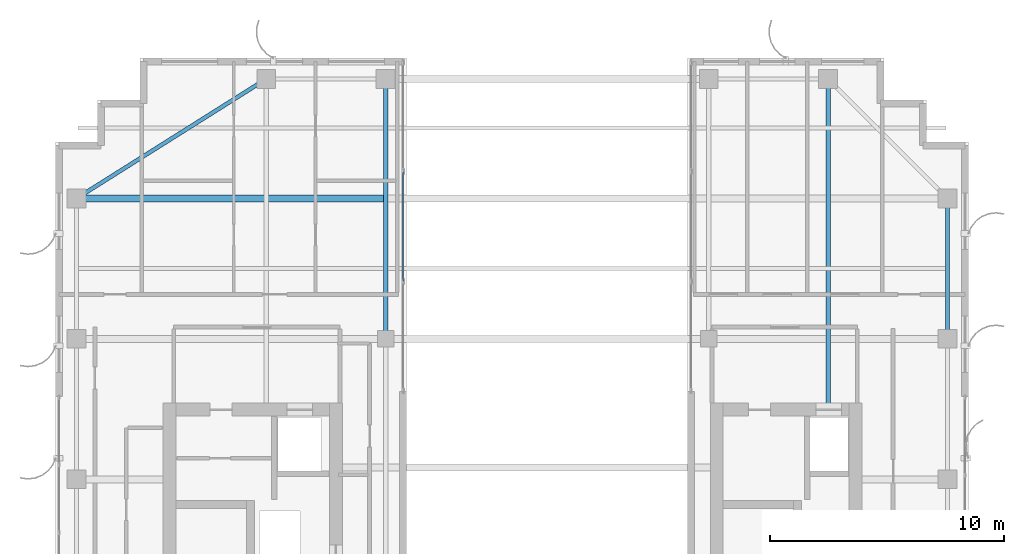
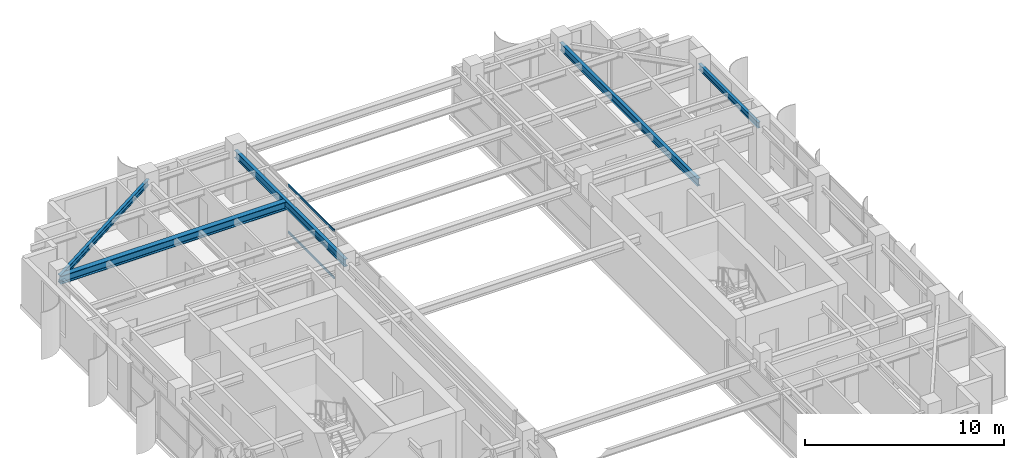
# One storey, part 15 of 25: 5 beams, 3 members, 1 element without a shape of its own.
"""IFC4 building model written with IfcOpenShell, lengths in metres."""

from ifc_helpers import new_model, si_unit, direction, frame, origin, origin_2d, place, context, subcontext, project, spatial, hollow_rectangle, i_section, extrude, source, transform, mapped, material, layer, layer_set, material_profile, profile_set, type_object, element, aggregate, save


model = new_model("IFC4")

# Units and contexts
model_context = context("Model", 3, precision=1e-05, world=origin(), true_north=direction((0.0, 1.0)))
body_context = subcontext(model_context, "Body", "Model", "MODEL_VIEW")
ifc_project = project(units=[si_unit("LENGTHUNIT", "METRE"), si_unit("AREAUNIT", "SQUARE_METRE"), si_unit("VOLUMEUNIT", "CUBIC_METRE"), si_unit("PLANEANGLEUNIT", "RADIAN"), si_unit("MASSUNIT", "GRAM", prefix="KILO")], contexts=[model_context])

# Site, building, storey
site_placement = place(None, origin())
site = spatial("IfcSite", under=ifc_project, at=site_placement, CompositionType="ELEMENT")
building_placement = place(site_placement, origin())
building = spatial("IfcBuilding", under=site, at=building_placement, Name="Khoralis Quay Care Tower", CompositionType="ELEMENT")
storey_placement = place(building_placement, frame((0.0, 0.0, 263.699951171875)))
storey = spatial("IfcBuildingStorey", under=building, at=storey_placement, Name="L69", CompositionType="ELEMENT", Elevation=263.699951171875)

# Beams
ifc_material_1 = material(Name="Steel S355", Category="steel")
ifc_material_profile_1 = material_profile(ifc_material_1, i_section(OverallWidth=0.19189453125, OverallDepth=0.462890625, WebThickness=0.010498046875, FlangeThickness=0.017578125, FilletRadius=0.014892578125, at=origin_2d()), Name="Steel S355")
ifc_profile_set_1 = profile_set([ifc_material_profile_1], Name="Steel S355")
beam_type_1 = type_object("IfcBeamType", Name="BM-W460X89", PredefinedType="BEAM", material=ifc_profile_set_1)
shared_shape_1 = source(origin(), body_context, "Body", "SweptSolid", [
    extrude(i_section(OverallWidth=0.19189453125, OverallDepth=0.462890625, WebThickness=0.010498046875, FlangeThickness=0.017578125, FilletRadius=0.014892578125, at=origin_2d()), origin(), (0.0, 0.0, 1.0), 11.10009765625),
])
beam_1_placement = place(storey_placement, frame((17.10009765625, 30.0, 2.718505859375), z_axis=(0.0, 1.0, 0.0), x_axis=(-1.0, 0.0, 0.0)))
element("IfcBeam", 1, at=beam_1_placement, inside=storey, type_object=beam_type_1, Name="BM-TGYN-L69-171", PredefinedType="BEAM", context=body_context, shape_type="MappedRepresentation", body=[
    mapped(shared_shape_1, transform((0.0, 0.0, 0.0), scale=1.0)),
])
ifc_material_profile_2 = material_profile(ifc_material_1, i_section(OverallWidth=0.169921875, OverallDepth=0.360107421875, WebThickness=0.008056640625, FlangeThickness=0.0126953125, FilletRadius=0.01806640625, at=origin_2d()), Name="Steel S355")
ifc_profile_set_2 = profile_set([ifc_material_profile_2], Name="Steel S355")
beam_type_2 = type_object("IfcBeamType", Name="BM-IPE360", PredefinedType="SPANDREL", material=ifc_profile_set_2)
shared_shape_2 = source(origin(), body_context, "Body", "SweptSolid", [
    extrude(i_section(OverallWidth=0.169921875, OverallDepth=0.360107421875, WebThickness=0.008056640625, FlangeThickness=0.0126953125, FilletRadius=0.01806640625, at=origin_2d()), origin(), (0.0, 0.0, 1.0), 6.0),
])
beam_2_placement = place(storey_placement, frame((41.10009765625, 30.0, 2.77001953125), z_axis=(0.0, 1.0, 0.0), x_axis=(-1.0, 0.0, 0.0)))
element("IfcBeam", 2, at=beam_2_placement, inside=storey, type_object=beam_type_2, Name="BM-TSP-L69-14", PredefinedType="SPANDREL", context=body_context, shape_type="MappedRepresentation", body=[
    mapped(shared_shape_2, transform((0.0, 0.0, 0.0), scale=1.0)),
])
shared_shape_3 = source(origin(), body_context, "Body", "SweptSolid", [
    extrude(i_section(OverallWidth=0.169921875, OverallDepth=0.360107421875, WebThickness=0.008056640625, FlangeThickness=0.0126953125, FilletRadius=0.01806640625, at=origin_2d()), origin(), (0.0, 0.0, 1.0), 9.572021484375),
])
beam_3_placement = place(storey_placement, frame((12.0, 41.10009765625, 2.77001953125), z_axis=(-0.846231136359, -0.532815975602, 0.0), x_axis=(0.532815975602, -0.846231136359, 0.0)))
element("IfcBeam", 3, at=beam_3_placement, inside=storey, type_object=beam_type_2, Name="BM-TCR-L69-17", PredefinedType="SPANDREL", context=body_context, shape_type="MappedRepresentation", body=[
    mapped(shared_shape_3, transform((0.0, 0.0, 0.0), scale=1.0)),
])
ifc_material_profile_3 = material_profile(ifc_material_1, i_section(OverallWidth=0.300048828125, OverallDepth=0.5, WebThickness=0.014404296875, FlangeThickness=0.028076171875, FilletRadius=0.027099609375, at=origin_2d()), Name="Steel S355")
ifc_profile_set_3 = profile_set([ifc_material_profile_3], Name="Steel S355")
beam_type_3 = type_object("IfcBeamType", Name="BM-HEB500", PredefinedType="BEAM", material=ifc_profile_set_3)
shared_shape_4 = source(origin(), body_context, "Body", "SweptSolid", [
    extrude(i_section(OverallWidth=0.300048828125, OverallDepth=0.5, WebThickness=0.014404296875, FlangeThickness=0.028076171875, FilletRadius=0.027099609375, at=origin_2d()), origin(), (0.0, 0.0, 1.0), 13.1162109375),
])
beam_4_placement = place(storey_placement, frame((3.89990234375, 36.0, 2.699951171875), z_axis=(1.0, 0.0, 0.0), x_axis=(0.0, 1.0, 0.0)))
element("IfcBeam", 4, at=beam_4_placement, inside=storey, type_object=beam_type_3, Name="BM-TGXW-L69-360", PredefinedType="BEAM", context=body_context, shape_type="MappedRepresentation", body=[
    mapped(shared_shape_4, transform((0.0, 0.0, 0.0), scale=1.0)),
])
shared_shape_5 = source(origin(), body_context, "Body", "SweptSolid", [
    extrude(i_section(OverallWidth=0.19189453125, OverallDepth=0.462890625, WebThickness=0.010498046875, FlangeThickness=0.017578125, FilletRadius=0.014892578125, at=origin_2d()), origin(), (0.0, 0.0, 1.0), 13.85205078125),
])
beam_5_placement = place(storey_placement, frame((36.0, 27.248046875, 2.718505859375), z_axis=(0.0, 1.0, 0.0), x_axis=(-1.0, 0.0, 0.0)))
element("IfcBeam", 5, at=beam_5_placement, inside=storey, type_object=beam_type_1, Name="BM-TGYN-L69-360", PredefinedType="BEAM", context=body_context, shape_type="MappedRepresentation", body=[
    mapped(shared_shape_5, transform((0.0, 0.0, 0.0), scale=1.0)),
])

# Curtain wall, members
ifc_material_2 = material(Name="Pale anodised aluminium", Category="aluminium")
ifc_layer = layer(ifc_material_2, 0.18994140625)
ifc_layer_set = layer_set([ifc_layer], Name="Pale anodised aluminium")
curtain_wall_type = type_object("IfcCurtainWallType", Name="CW-SYS-PORTAL", PredefinedType="NOTDEFINED", material=ifc_layer_set)
curtain_wall_placement = place(storey_placement, origin())
curtain_wall = element("IfcCurtainWall", 6, at=curtain_wall_placement, inside=storey, type_object=curtain_wall_type, Name="L69 Unitised Curtain Wall CW-VP-L69-P1-N", PredefinedType="NOTDEFINED")
ifc_material_profile_4 = material_profile(ifc_material_2, hollow_rectangle(XDim=0.06005859375, YDim=0.139892578125, WallThickness=0.00390625, at=origin_2d()), Name="Pale anodised aluminium")
ifc_profile_set_4 = profile_set([ifc_material_profile_4], Name="Pale anodised aluminium")
member_type = type_object("IfcMemberType", Name="CW-TRN-140", PredefinedType="USERDEFINED", material=ifc_profile_set_4)
shared_shape_6 = source(origin(), body_context, "Body", "SweptSolid", [
    extrude(hollow_rectangle(XDim=0.06005859375, YDim=0.139892578125, WallThickness=0.00390625, at=origin_2d()), origin(), (0.0, 0.0, 1.0), 4.64013671875),
])
member_1_placement = place(storey_placement, frame((17.85009765625, 32.47998046875, 0.030029296875), z_axis=(0.0, 1.0, 0.0), x_axis=(-1.0, 0.0, 0.0)))
member_1 = element("IfcMember", 7, at=member_1_placement, type_object=member_type, Name="CW4 transom 2.1", ObjectType="TRANSOM", PredefinedType="USERDEFINED", context=body_context, shape_type="MappedRepresentation", body=[
    mapped(shared_shape_6, transform((0.0, 0.0, 0.0), scale=1.0)),
])
member_2_placement = place(storey_placement, frame((17.85009765625, 32.47998046875, 1.47509765625), z_axis=(0.0, 1.0, 0.0), x_axis=(-1.0, 0.0, 0.0)))
member_2 = element("IfcMember", 8, at=member_2_placement, type_object=member_type, Name="CW4 transom 2.2", ObjectType="TRANSOM", PredefinedType="USERDEFINED", context=body_context, shape_type="MappedRepresentation", body=[
    mapped(shared_shape_6, transform((0.0, 0.0, 0.0), scale=1.0)),
])
member_3_placement = place(storey_placement, frame((17.85009765625, 32.47998046875, 2.920166015625), z_axis=(0.0, 1.0, 0.0), x_axis=(-1.0, 0.0, 0.0)))
member_3 = element("IfcMember", 9, at=member_3_placement, type_object=member_type, Name="CW4 transom 2.3", ObjectType="TRANSOM", PredefinedType="USERDEFINED", context=body_context, shape_type="MappedRepresentation", body=[
    mapped(shared_shape_6, transform((0.0, 0.0, 0.0), scale=1.0)),
])
aggregate(curtain_wall, [member_1, member_2, member_3])

save(model, "model.ifc")
